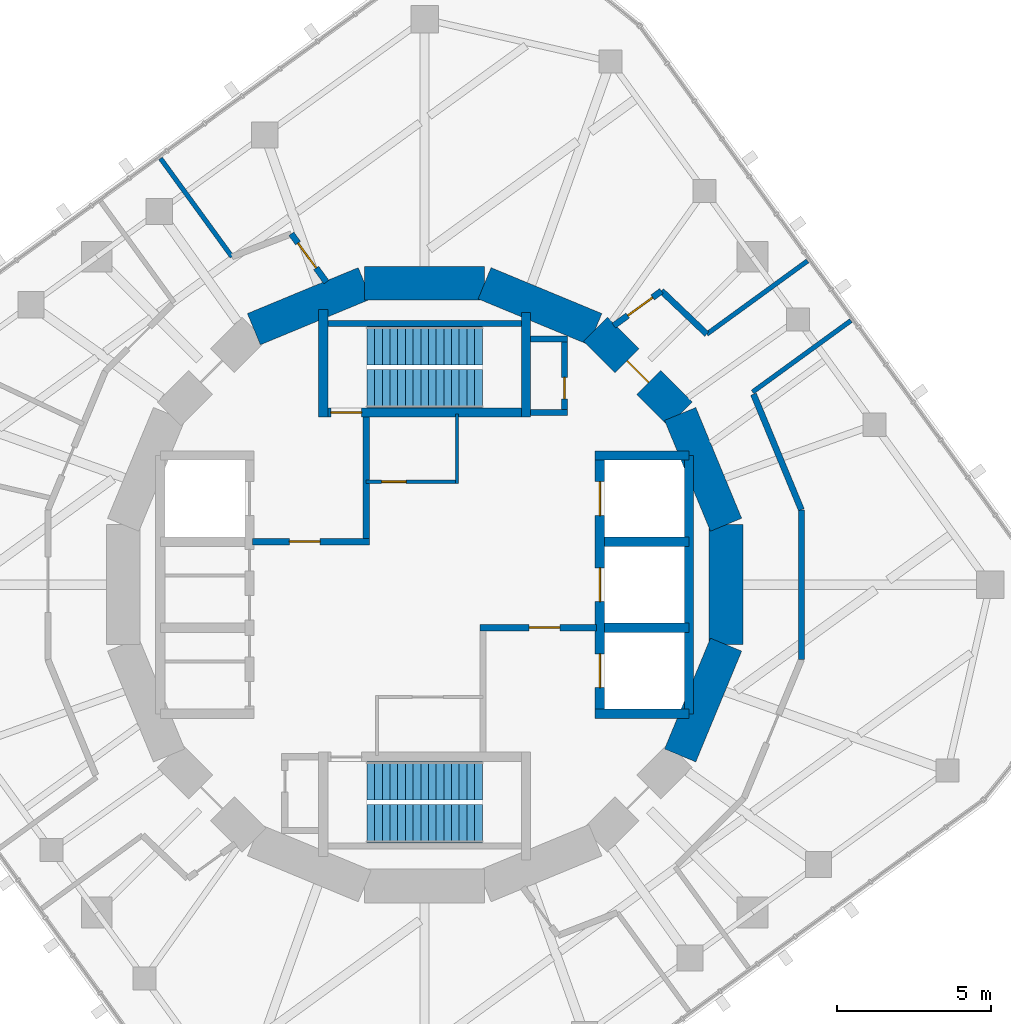
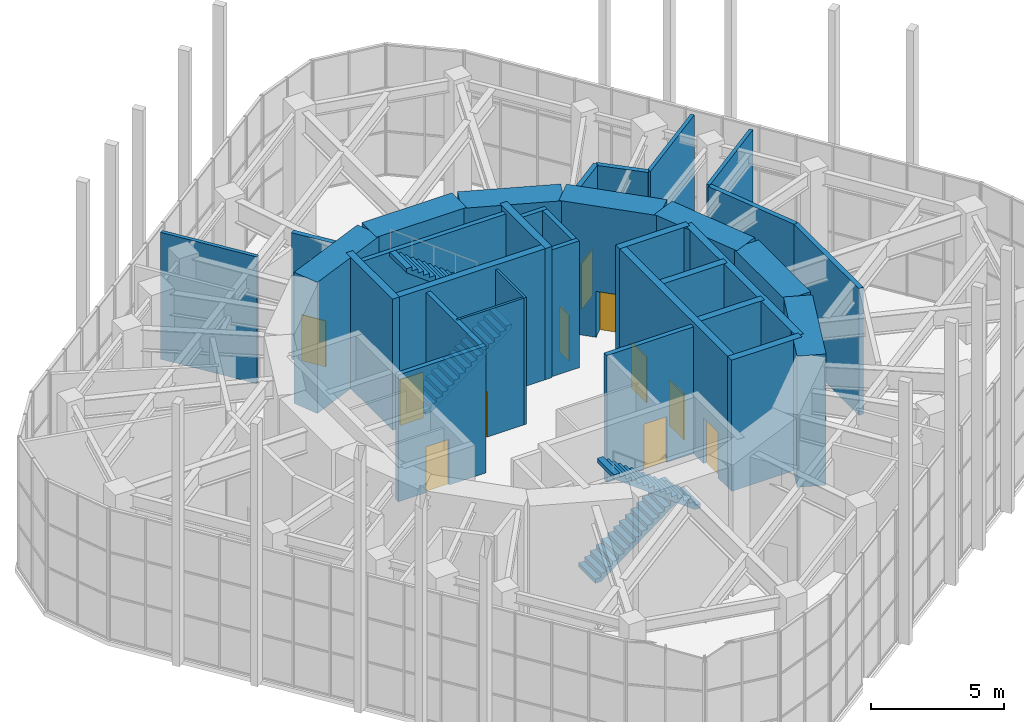
# One storey, part 16 of 17: 33 walls, 11 doors, 4 stair flights, 11 openings, 2 elements without a shape of their own.
"""IFC4 building model written with IfcOpenShell, lengths in metres."""

from ifc_helpers import new_model, si_unit, direction, frame, frame_2d, origin, place, context, subcontext, project, spatial, polyline, rectangle, outline, extrude, material, layer, layer_set, type_object, element, fill, aggregate, save


model = new_model("IFC4")

# Units and contexts
model_context = context("Model", 3, precision=1e-05, world=origin(), true_north=direction((0.0, 1.0)))
body_context = subcontext(model_context, "Body", "Model", "MODEL_VIEW")
ifc_project = project(units=[si_unit("LENGTHUNIT", "METRE"), si_unit("AREAUNIT", "SQUARE_METRE"), si_unit("VOLUMEUNIT", "CUBIC_METRE"), si_unit("PLANEANGLEUNIT", "RADIAN"), si_unit("MASSUNIT", "GRAM", prefix="KILO")], contexts=[model_context])

# Site, building, storey
site_placement = place(None, origin())
site = spatial("IfcSite", under=ifc_project, at=site_placement, CompositionType="ELEMENT")
building_placement = place(site_placement, origin())
building = spatial("IfcBuilding", under=site, at=building_placement, Name="Nakasero Lantern House", CompositionType="ELEMENT")
storey_placement = place(building_placement, frame((0.0, 0.0, 298.39990234375)))
storey = spatial("IfcBuildingStorey", under=building, at=storey_placement, Name="L73", CompositionType="ELEMENT", Elevation=298.39990234375)

# Wall, openings, doors
ifc_material_1 = material(Name="Concrete C50/60", Category="concrete")
ifc_layer_1 = layer(ifc_material_1, 0.300048828125)
ifc_layer_set_1 = layer_set([ifc_layer_1], Name="Core inner wall 300")
wall_type_1 = type_object("IfcWallType", Name="Core inner wall 300", PredefinedType="SHEAR", material=ifc_layer_set_1)
wall_1_placement = place(storey_placement, frame((5.699951171875, -4.199951171875, 0.0), z_axis=(0.0, 0.0, 1.0), x_axis=(0.0, 1.0, 0.0)))
wall_1 = element("IfcWall", 1, at=wall_1_placement, inside=storey, type_object=wall_type_1, Name="Core inner wall L73 LE", PredefinedType="SHEAR", context=body_context, shape_type="SweptSolid", body=[
    extrude(rectangle(XDim=8.39990234375, YDim=0.300048828125, at=frame_2d((4.199951171875, 0.0))), origin(), (0.0, 0.0, 1.0), 6.0),
])
opening_1_placement = place(wall_1_placement, frame((0.85009765625, 0.0, 0.0)))
opening_1 = element("IfcOpeningElement", 2, at=opening_1_placement, cuts=wall_1, Name="Opening LD", PredefinedType="OPENING", context=body_context, shape_type="SweptSolid", body=[
    extrude(rectangle(XDim=1.10009765625, YDim=2.10009765625, at=frame_2d((0.550048828125, 1.050048828125))), frame((0.0, 0.169921875, 0.0), z_axis=(0.0, -1.0, 0.0), x_axis=(1.0, 0.0, 0.0)), (0.0, 0.0, 1.0), 0.340087890625),
])
opening_2_placement = place(wall_1_placement, frame((3.64990234375, 0.0, 0.0)))
opening_2 = element("IfcOpeningElement", 3, at=opening_2_placement, cuts=wall_1, Name="Opening LD", PredefinedType="OPENING", context=body_context, shape_type="SweptSolid", body=[
    extrude(rectangle(XDim=1.10009765625, YDim=2.10009765625, at=frame_2d((0.550048828125, 1.050048828125))), frame((0.0, 0.169921875, 0.0), z_axis=(0.0, -1.0, 0.0), x_axis=(1.0, 0.0, 0.0)), (0.0, 0.0, 1.0), 0.340087890625),
])
opening_3_placement = place(wall_1_placement, frame((6.449951171875, 0.0, 0.0)))
opening_3 = element("IfcOpeningElement", 4, at=opening_3_placement, cuts=wall_1, Name="Opening LD", PredefinedType="OPENING", context=body_context, shape_type="SweptSolid", body=[
    extrude(rectangle(XDim=1.10009765625, YDim=2.10009765625, at=frame_2d((0.550048828125, 1.050048828125))), frame((0.0, 0.169921875, 0.0), z_axis=(0.0, -1.0, 0.0), x_axis=(1.0, 0.0, 0.0)), (0.0, 0.0, 1.0), 0.340087890625),
])
ifc_material_2 = material(Name="Steel S355", Category="steel")
door_type_1 = type_object("IfcDoorType", Name="Lift landing door E120 1100", OperationType="SLIDING_TO_LEFT", PredefinedType="DOOR", material=ifc_material_2)
door_1_placement = place(opening_1_placement, origin())
door_1 = element("IfcDoor", 5, at=door_1_placement, inside=storey, type_object=door_type_1, Name="Lift landing door LE1", OperationType="SLIDING_TO_LEFT", OverallHeight=2.10009765625, OverallWidth=1.10009765625, PredefinedType="DOOR", context=body_context, shape_type="SweptSolid", body=[
    extrude(rectangle(XDim=1.10009765625, YDim=2.10009765625, at=frame_2d((0.550048828125, 1.050048828125))), frame((0.0, 0.02490234375, 0.0), z_axis=(0.0, -1.0, 0.0), x_axis=(1.0, 0.0, 0.0)), (0.0, 0.0, 1.0), 0.050048828125),
])
fill(opening_1, door_1)
door_2_placement = place(opening_2_placement, origin())
door_2 = element("IfcDoor", 6, at=door_2_placement, inside=storey, type_object=door_type_1, Name="Lift landing door LE2", OperationType="SLIDING_TO_LEFT", OverallHeight=2.10009765625, OverallWidth=1.10009765625, PredefinedType="DOOR", context=body_context, shape_type="SweptSolid", body=[
    extrude(rectangle(XDim=1.10009765625, YDim=2.10009765625, at=frame_2d((0.550048828125, 1.050048828125))), frame((0.0, 0.02490234375, 0.0), z_axis=(0.0, -1.0, 0.0), x_axis=(1.0, 0.0, 0.0)), (0.0, 0.0, 1.0), 0.050048828125),
])
fill(opening_2, door_2)
door_3_placement = place(opening_3_placement, origin())
door_3 = element("IfcDoor", 7, at=door_3_placement, inside=storey, type_object=door_type_1, Name="Lift landing door LE3", OperationType="SLIDING_TO_LEFT", OverallHeight=2.10009765625, OverallWidth=1.10009765625, PredefinedType="DOOR", context=body_context, shape_type="SweptSolid", body=[
    extrude(rectangle(XDim=1.10009765625, YDim=2.10009765625, at=frame_2d((0.550048828125, 1.050048828125))), frame((0.0, 0.02490234375, 0.0), z_axis=(0.0, -1.0, 0.0), x_axis=(1.0, 0.0, 0.0)), (0.0, 0.0, 1.0), 0.050048828125),
])
fill(opening_3, door_3)

# Walls
for number, where, z_axis, x_axis, name in (
    (8, (5.550048828125, 4.199951171875, 0.0), (0.0, 0.0, 1.0), (1.0, 0.0, 0.0), "Core inner wall L73 LEN"),
    (9, (5.550048828125, -4.199951171875, 0.0), (0.0, 0.0, 1.0), (1.0, 0.0, 0.0), "Core inner wall L73 LES"),
):
    element("IfcWall", number, at=place(storey_placement, frame(where, z_axis=z_axis, x_axis=x_axis)), inside=storey, type_object=wall_type_1, Name=name, PredefinedType="SHEAR", context=body_context, shape_type="SweptSolid", body=[
        extrude(rectangle(XDim=3.050048828125, YDim=0.300048828125, at=frame_2d((1.52490234375, 0.0))), origin(), (0.0, 0.0, 1.0), 6.0),
    ])
wall_2_placement = place(storey_placement, frame((8.60009765625, -4.199951171875, 0.0), z_axis=(0.0, 0.0, 1.0), x_axis=(0.0, 1.0, 0.0)))
element("IfcWall", 10, at=wall_2_placement, inside=storey, type_object=wall_type_1, Name="Core inner wall L73 LEB", PredefinedType="SHEAR", context=body_context, shape_type="SweptSolid", body=[
    extrude(rectangle(XDim=8.39990234375, YDim=0.300048828125, at=frame_2d((4.199951171875, 0.0))), origin(), (0.0, 0.0, 1.0), 6.0),
])
for number, where, z_axis, x_axis, name in (
    (11, (5.85009765625, -1.39990234375, 0.0), (0.0, 0.0, 1.0), (1.0, 0.0, 0.0), "Core inner wall L73 LE1"),
    (12, (5.85009765625, 1.39990234375, 0.0), (0.0, 0.0, 1.0), (1.0, 0.0, 0.0), "Core inner wall L73 LE2"),
):
    element("IfcWall", number, at=place(storey_placement, frame(where, z_axis=z_axis, x_axis=x_axis)), inside=storey, type_object=wall_type_1, Name=name, PredefinedType="SHEAR", context=body_context, shape_type="SweptSolid", body=[
        extrude(rectangle(XDim=2.75, YDim=0.300048828125, at=frame_2d((1.375, 0.0))), origin(), (0.0, 0.0, 1.0), 6.0),
    ])

# Wall, opening, door
wall_3_placement = place(storey_placement, frame((-3.449951171875, 5.60009765625, 0.0), z_axis=(0.0, 0.0, 1.0), x_axis=(1.0, 0.0, 0.0)))
wall_3 = element("IfcWall", 13, at=wall_3_placement, inside=storey, type_object=wall_type_1, Name="Core inner wall L73 SN", PredefinedType="SHEAR", context=body_context, shape_type="SweptSolid", body=[
    extrude(rectangle(XDim=6.89990234375, YDim=0.300048828125, at=frame_2d((3.449951171875, 0.0))), origin(), (0.0, 0.0, 1.0), 6.0),
])
opening_4_placement = place(wall_3_placement, frame((0.39990234375, 0.0, 0.0)))
opening_4 = element("IfcOpeningElement", 14, at=opening_4_placement, cuts=wall_3, Name="Opening D05", PredefinedType="OPENING", context=body_context, shape_type="SweptSolid", body=[
    extrude(rectangle(XDim=1.0, YDim=2.10009765625, at=frame_2d((0.5, 1.050048828125))), frame((0.0, 0.169921875, 0.0), z_axis=(0.0, -1.0, 0.0), x_axis=(1.0, 0.0, 0.0)), (0.0, 0.0, 1.0), 0.340087890625),
])
ifc_material_3 = material(Name="Timber C24", Category="wood")
door_type_2 = type_object("IfcDoorType", Name="Core door FD60S 1000", OperationType="SINGLE_SWING_LEFT", PredefinedType="DOOR", material=ifc_material_3)
door_4_placement = place(opening_4_placement, origin())
door_4 = element("IfcDoor", 15, at=door_4_placement, inside=storey, type_object=door_type_2, Name="Door L73 D-ST1", OperationType="SINGLE_SWING_LEFT", OverallHeight=2.10009765625, OverallWidth=1.0, PredefinedType="DOOR", context=body_context, shape_type="SweptSolid", body=[
    extrude(rectangle(XDim=1.0, YDim=2.10009765625, at=frame_2d((0.5, 1.050048828125))), frame((0.0, 0.02490234375, 0.0), z_axis=(0.0, -1.0, 0.0), x_axis=(1.0, 0.0, 0.0)), (0.0, 0.0, 1.0), 0.050048828125),
])
fill(opening_4, door_4)

# Walls
wall_4_placement = place(storey_placement, frame((-3.300048828125, 5.449951171875, 0.0), z_axis=(0.0, 0.0, 1.0), x_axis=(0.0, 1.0, 0.0)))
element("IfcWall", 16, at=wall_4_placement, inside=storey, type_object=wall_type_1, Name="Core inner wall L73 SNW", PredefinedType="SHEAR", context=body_context, shape_type="SweptSolid", body=[
    extrude(rectangle(XDim=3.5, YDim=0.300048828125, at=frame_2d((1.75, 0.0))), origin(), (0.0, 0.0, 1.0), 6.0),
])
wall_5_placement = place(storey_placement, frame((3.300048828125, 5.449951171875, 0.0), z_axis=(0.0, 0.0, 1.0), x_axis=(0.0, 1.0, 0.0)))
element("IfcWall", 17, at=wall_5_placement, inside=storey, type_object=wall_type_1, Name="Core inner wall L73 SNE", PredefinedType="SHEAR", context=body_context, shape_type="SweptSolid", body=[
    extrude(rectangle(XDim=3.400146484375, YDim=0.300048828125, at=frame_2d((1.7001953125, 0.0))), origin(), (0.0, 0.0, 1.0), 6.0),
])

# Wall, opening, door
ifc_material_4 = material(Name="Blockwork", Category="masonry")
ifc_layer_2 = layer(ifc_material_4, 0.10009765625)
ifc_layer_set_2 = layer_set([ifc_layer_2], Name="Core room wall 100")
wall_type_2 = type_object("IfcWallType", Name="Core room wall 100", PredefinedType="PARTITIONING", material=ifc_layer_set_2)
wall_6_placement = place(storey_placement, frame((-1.89990234375, 3.35009765625, 0.0), z_axis=(0.0, 0.0, 1.0), x_axis=(1.0, 0.0, 0.0)))
wall_6 = element("IfcWall", 18, at=wall_6_placement, inside=storey, type_object=wall_type_2, Name="Core room wall L73 CR-NES", PredefinedType="PARTITIONING", context=body_context, shape_type="SweptSolid", body=[
    extrude(rectangle(XDim=3.0, YDim=0.10009765625, at=frame_2d((1.5, 0.0))), origin(), (0.0, 0.0, 1.0), 5.800048828125),
])
opening_5_placement = place(wall_6_placement, frame((0.5, 0.0, 0.0)))
opening_5 = element("IfcOpeningElement", 19, at=opening_5_placement, cuts=wall_6, Name="Opening D15", PredefinedType="OPENING", context=body_context, shape_type="SweptSolid", body=[
    extrude(rectangle(XDim=0.800048828125, YDim=2.10009765625, at=frame_2d((0.39990234375, 1.050048828125))), frame((0.0, 0.070068359375, 0.0), z_axis=(0.0, -1.0, 0.0), x_axis=(1.0, 0.0, 0.0)), (0.0, 0.0, 1.0), 0.14013671875),
])
ifc_material_5 = material(Name="Timber C24", Category="wood")
door_type_3 = type_object("IfcDoorType", Name="Cleaner's store door FD30S 800", OperationType="SINGLE_SWING_LEFT", PredefinedType="DOOR", material=ifc_material_5)
door_5_placement = place(opening_5_placement, origin())
door_5 = element("IfcDoor", 20, at=door_5_placement, inside=storey, type_object=door_type_3, Name="Door L73 D-CR-NE", OperationType="SINGLE_SWING_LEFT", OverallHeight=2.10009765625, OverallWidth=0.800048828125, PredefinedType="DOOR", context=body_context, shape_type="SweptSolid", body=[
    extrude(rectangle(XDim=0.800048828125, YDim=2.10009765625, at=frame_2d((0.39990234375, 1.050048828125))), frame((0.0, 0.02490234375, 0.0), z_axis=(0.0, -1.0, 0.0), x_axis=(1.0, 0.0, 0.0)), (0.0, 0.0, 1.0), 0.050048828125),
])
fill(opening_5, door_5)

# Walls
wall_7_placement = place(storey_placement, frame((1.050048828125, 3.300048828125, 0.0), z_axis=(0.0, 0.0, 1.0), x_axis=(0.0, 1.0, 0.0)))
element("IfcWall", 21, at=wall_7_placement, inside=storey, type_object=wall_type_2, Name="Core room wall L73 CR-NEE", PredefinedType="PARTITIONING", context=body_context, shape_type="SweptSolid", body=[
    extrude(rectangle(XDim=2.25, YDim=0.10009765625, at=frame_2d((1.125, 0.0))), origin(), (0.0, 0.0, 1.0), 5.800048828125),
])
ifc_material_6 = material(Name="Concrete C50/60", Category="concrete")
ifc_layer_3 = layer(ifc_material_6, 1.10009765625)
ifc_layer_set_3 = layer_set([ifc_layer_3], Name="Core wall 1100")
wall_type_3 = type_object("IfcWallType", Name="Core wall 1100", PredefinedType="SHEAR", material=ifc_layer_set_3)
wall_8_placement = place(storey_placement, frame((9.807861328125, 1.950927734375, 0.0), z_axis=(0.0, 0.0, 1.0), x_axis=(-0.382690736062, 0.923876507187, 0.0)))
element("IfcWall", 22, at=wall_8_placement, inside=storey, type_object=wall_type_3, Name="Core wall L73 facet 1", PredefinedType="SHEAR", context=body_context, shape_type="SweptSolid", body=[
    extrude(rectangle(XDim=3.90185546875, YDim=1.10009765625, at=frame_2d((1.950927734375, 0.0))), origin(), (0.0, 0.0, 1.0), 6.0),
])

# Wall, opening, door
wall_9_placement = place(storey_placement, frame((8.314697265625, 5.5556640625, 0.0), z_axis=(0.0, 0.0, 1.0), x_axis=(-0.707106781187, 0.707106781187, 0.0)))
wall_9 = element("IfcWall", 23, at=wall_9_placement, inside=storey, type_object=wall_type_3, Name="Core wall L73 facet 2", PredefinedType="SHEAR", context=body_context, shape_type="SweptSolid", body=[
    extrude(rectangle(XDim=3.90185546875, YDim=1.10009765625, at=frame_2d((1.950927734375, 0.0))), origin(), (0.0, 0.0, 1.0), 6.0),
])
opening_6_placement = place(wall_9_placement, frame((1.450927734375, 0.0, 0.0)))
opening_6 = element("IfcOpeningElement", 24, at=opening_6_placement, cuts=wall_9, Name="Opening D05", PredefinedType="OPENING", context=body_context, shape_type="SweptSolid", body=[
    extrude(rectangle(XDim=1.0, YDim=2.10009765625, at=frame_2d((0.5, 1.050048828125))), frame((0.0, 0.570068359375, 0.0), z_axis=(0.0, -1.0, 0.0), x_axis=(1.0, 0.0, 0.0)), (0.0, 0.0, 1.0), 1.14013671875),
])
door_6_placement = place(opening_6_placement, origin())
door_6 = element("IfcDoor", 25, at=door_6_placement, inside=storey, type_object=door_type_2, Name="Door L73 D-CORE02", OperationType="SINGLE_SWING_LEFT", OverallHeight=2.10009765625, OverallWidth=1.0, PredefinedType="DOOR", context=body_context, shape_type="SweptSolid", body=[
    extrude(rectangle(XDim=1.0, YDim=2.10009765625, at=frame_2d((0.5, 1.050048828125))), frame((0.0, 0.02490234375, 0.0), z_axis=(0.0, -1.0, 0.0), x_axis=(1.0, 0.0, 0.0)), (0.0, 0.0, 1.0), 0.050048828125),
])
fill(opening_6, door_6)

# Walls
for number, where, z_axis, x_axis, name in (
    (26, (5.5556640625, 8.314697265625, 0.0), (0.0, 0.0, 1.0), (-0.923876507187, 0.382690736062, 0.0), "Core wall L73 facet 3"),
    (27, (1.950927734375, 9.807861328125, 0.0), (0.0, 0.0, 1.0), (-1.0, 0.0, 0.0), "Core wall L73 facet 4"),
    (28, (-1.950927734375, 9.807861328125, 0.0), (0.0, 0.0, 1.0), (-0.923876507187, -0.382690736062, 0.0), "Core wall L73 facet 5"),
    (29, (8.314697265625, -5.5556640625, 0.0), (0.0, 0.0, 1.0), (0.382690736062, 0.923876507187, 0.0), "Core wall L73 facet 15"),
    (30, (9.807861328125, -1.950927734375, 0.0), (0.0, 0.0, 1.0), (0.0, 1.0, 0.0), "Core wall L73 facet 16"),
):
    element("IfcWall", number, at=place(storey_placement, frame(where, z_axis=z_axis, x_axis=x_axis)), inside=storey, type_object=wall_type_3, Name=name, PredefinedType="SHEAR", context=body_context, shape_type="SweptSolid", body=[
        extrude(rectangle(XDim=3.90185546875, YDim=1.10009765625, at=frame_2d((1.950927734375, 0.0))), origin(), (0.0, 0.0, 1.0), 6.0),
    ])
ifc_material_7 = material(Name="Blockwork", Category="masonry")
ifc_layer_4 = layer(ifc_material_7, 0.199951171875)
ifc_layer_set_4 = layer_set([ifc_layer_4], Name="Corridor wall 200")
wall_type_4 = type_object("IfcWallType", Name="Corridor wall 200", PredefinedType="PARTITIONING", material=ifc_layer_set_4)
wall_10_placement = place(storey_placement, frame((12.2578125, 2.438232421875, 0.0), z_axis=(0.0, 0.0, 1.0), x_axis=(0.0, -1.0, 0.0)))
element("IfcWall", 31, at=wall_10_placement, inside=storey, type_object=wall_type_4, Name="Corridor wall L73 TC00", PredefinedType="PARTITIONING", context=body_context, shape_type="SweptSolid", body=[
    extrude(rectangle(XDim=4.87646484375, YDim=0.199951171875, at=frame_2d((2.438232421875, 0.0))), origin(), (0.0, 0.0, 1.0), 5.800048828125),
])
wall_11_placement = place(storey_placement, frame((10.700439453125, 6.1982421875, 0.0), z_axis=(0.0, 0.0, 1.0), x_axis=(0.382667913838, -0.923885960343, 0.0)))
element("IfcWall", 32, at=wall_11_placement, inside=storey, type_object=wall_type_4, Name="Corridor wall L73 TC07", PredefinedType="PARTITIONING", context=body_context, shape_type="SweptSolid", body=[
    extrude(rectangle(XDim=4.06982421875, YDim=0.199951171875, at=frame_2d((2.034912109375, 0.0))), origin(), (0.0, 0.0, 1.0), 5.800048828125),
])

# Wall, opening, door
wall_12_placement = place(storey_placement, frame((-3.197021484375, 9.8466796875, 0.0), z_axis=(0.0, 0.0, 1.0), x_axis=(-0.587775246478, 0.80902426393, 0.0)))
wall_12 = element("IfcWall", 33, at=wall_12_placement, inside=storey, type_object=wall_type_4, Name="Corridor wall L73 TQ00", PredefinedType="PARTITIONING", context=body_context, shape_type="SweptSolid", body=[
    extrude(rectangle(XDim=1.94091796875, YDim=0.199951171875, at=frame_2d((0.970458984375, 0.0))), origin(), (0.0, 0.0, 1.0), 5.800048828125),
])
opening_7_placement = place(wall_12_placement, frame((0.566650390625, 0.0, 0.0)))
opening_7 = element("IfcOpeningElement", 34, at=opening_7_placement, cuts=wall_12, Name="Opening D03", PredefinedType="OPENING", context=body_context, shape_type="SweptSolid", body=[
    extrude(rectangle(XDim=1.0, YDim=2.10009765625, at=frame_2d((0.5, 1.050048828125))), frame((0.0, 0.119873046875, 0.0), z_axis=(0.0, -1.0, 0.0), x_axis=(1.0, 0.0, 0.0)), (0.0, 0.0, 1.0), 0.239990234375),
])
ifc_material_8 = material(Name="Timber C24", Category="wood")
door_type_4 = type_object("IfcDoorType", Name="Lounge door FD30S 1000", OperationType="SINGLE_SWING_LEFT", PredefinedType="DOOR", material=ifc_material_8)
door_7_placement = place(opening_7_placement, origin())
door_7 = element("IfcDoor", 35, at=door_7_placement, inside=storey, type_object=door_type_4, Name="Door L73 DQ00", OperationType="SINGLE_SWING_RIGHT", OverallHeight=2.10009765625, OverallWidth=1.0, PredefinedType="DOOR", context=body_context, shape_type="SweptSolid", body=[
    extrude(rectangle(XDim=1.0, YDim=2.10009765625, at=frame_2d((0.5, 1.050048828125))), frame((0.0, 0.02490234375, 0.0), z_axis=(0.0, -1.0, 0.0), x_axis=(1.0, 0.0, 0.0)), (0.0, 0.0, 1.0), 0.050048828125),
])
fill(opening_7, door_7)

wall_13_placement = place(storey_placement, frame((6.1552734375, 8.428955078125, 0.0), z_axis=(0.0, 0.0, 1.0), x_axis=(0.808978111554, 0.587838766181, 0.0)))
wall_13 = element("IfcWall", 36, at=wall_13_placement, inside=storey, type_object=wall_type_4, Name="Corridor wall L73 TQ01", PredefinedType="PARTITIONING", context=body_context, shape_type="SweptSolid", body=[
    extrude(rectangle(XDim=1.918701171875, YDim=0.199951171875, at=frame_2d((0.95947265625, 0.0))), origin(), (0.0, 0.0, 1.0), 5.800048828125),
])
opening_8_placement = place(wall_13_placement, frame((0.55859375, 0.0, 0.0)))
opening_8 = element("IfcOpeningElement", 37, at=opening_8_placement, cuts=wall_13, Name="Opening D03", PredefinedType="OPENING", context=body_context, shape_type="SweptSolid", body=[
    extrude(rectangle(XDim=1.0, YDim=2.10009765625, at=frame_2d((0.5, 1.050048828125))), frame((0.0, 0.119873046875, 0.0), z_axis=(0.0, -1.0, 0.0), x_axis=(1.0, 0.0, 0.0)), (0.0, 0.0, 1.0), 0.239990234375),
])
door_8_placement = place(opening_8_placement, origin())
door_8 = element("IfcDoor", 38, at=door_8_placement, inside=storey, type_object=door_type_4, Name="Door L73 DQ01", OperationType="SINGLE_SWING_RIGHT", OverallHeight=2.10009765625, OverallWidth=1.0, PredefinedType="DOOR", context=body_context, shape_type="SweptSolid", body=[
    extrude(rectangle(XDim=1.0, YDim=2.10009765625, at=frame_2d((0.5, 1.050048828125))), frame((0.0, 0.02490234375, 0.0), z_axis=(0.0, -1.0, 0.0), x_axis=(1.0, 0.0, 0.0)), (0.0, 0.0, 1.0), 0.050048828125),
])
fill(opening_8, door_8)

# Wall
wall_14_placement = place(storey_placement, frame((7.70751953125, 9.556884765625, 0.0), z_axis=(0.0, 0.0, 1.0), x_axis=(0.724289130642, -0.68949637797, 0.0)))
element("IfcWall", 39, at=wall_14_placement, inside=storey, type_object=wall_type_4, Name="Corridor wall L73 TR01", PredefinedType="PARTITIONING", context=body_context, shape_type="SweptSolid", body=[
    extrude(rectangle(XDim=2.034912109375, YDim=0.199951171875, at=frame_2d((1.017578125, 0.0))), origin(), (0.0, 0.0, 1.0), 5.800048828125),
])

# Wall, opening, door
ifc_material_9 = material(Name="Blockwork", Category="masonry")
ifc_layer_5 = layer(ifc_material_9, 0.199951171875)
ifc_layer_set_5 = layer_set([ifc_layer_5], Name="Fire lobby wall 200")
wall_type_5 = type_object("IfcWallType", Name="Fire lobby wall 200", PredefinedType="PARTITIONING", material=ifc_layer_set_5)
wall_15_placement = place(storey_placement, frame((-5.60009765625, 1.39990234375, 0.0), z_axis=(0.0, 0.0, 1.0), x_axis=(1.0, 0.0, 0.0)))
wall_15 = element("IfcWall", 40, at=wall_15_placement, inside=storey, type_object=wall_type_5, Name="Fire lobby wall L73 W-FL1S", PredefinedType="PARTITIONING", context=body_context, shape_type="SweptSolid", body=[
    extrude(rectangle(XDim=3.800048828125, YDim=0.199951171875, at=frame_2d((1.89990234375, 0.0))), origin(), (0.0, 0.0, 1.0), 5.800048828125),
])
opening_9_placement = place(wall_15_placement, frame((1.199951171875, 0.0, 0.0)))
opening_9 = element("IfcOpeningElement", 41, at=opening_9_placement, cuts=wall_15, Name="Opening D05", PredefinedType="OPENING", context=body_context, shape_type="SweptSolid", body=[
    extrude(rectangle(XDim=1.0, YDim=2.10009765625, at=frame_2d((0.5, 1.050048828125))), frame((0.0, 0.119873046875, 0.0), z_axis=(0.0, -1.0, 0.0), x_axis=(1.0, 0.0, 0.0)), (0.0, 0.0, 1.0), 0.239990234375),
])
door_9_placement = place(opening_9_placement, origin())
door_9 = element("IfcDoor", 42, at=door_9_placement, inside=storey, type_object=door_type_2, Name="Door L73 D-FL1", OperationType="SINGLE_SWING_LEFT", OverallHeight=2.10009765625, OverallWidth=1.0, PredefinedType="DOOR", context=body_context, shape_type="SweptSolid", body=[
    extrude(rectangle(XDim=1.0, YDim=2.10009765625, at=frame_2d((0.5, 1.050048828125))), frame((0.0, 0.02490234375, 0.0), z_axis=(0.0, -1.0, 0.0), x_axis=(1.0, 0.0, 0.0)), (0.0, 0.0, 1.0), 0.050048828125),
])
fill(opening_9, door_9)

# Wall
wall_16_placement = place(storey_placement, frame((-1.89990234375, 1.5, 0.0), z_axis=(0.0, 0.0, 1.0), x_axis=(0.0, 1.0, 0.0)))
element("IfcWall", 43, at=wall_16_placement, inside=storey, type_object=wall_type_5, Name="Fire lobby wall L73 W-FL1E", PredefinedType="PARTITIONING", context=body_context, shape_type="SweptSolid", body=[
    extrude(rectangle(XDim=3.949951171875, YDim=0.199951171875, at=frame_2d((1.97509765625, 0.0))), origin(), (0.0, 0.0, 1.0), 5.800048828125),
])

# Wall, opening, door
wall_17_placement = place(storey_placement, frame((5.60009765625, -1.39990234375, 0.0), z_axis=(0.0, 0.0, 1.0), x_axis=(-1.0, 0.0, 0.0)))
wall_17 = element("IfcWall", 44, at=wall_17_placement, inside=storey, type_object=wall_type_5, Name="Fire lobby wall L73 W-FL2N", PredefinedType="PARTITIONING", context=body_context, shape_type="SweptSolid", body=[
    extrude(rectangle(XDim=3.800048828125, YDim=0.199951171875, at=frame_2d((1.89990234375, 0.0))), origin(), (0.0, 0.0, 1.0), 5.800048828125),
])
opening_10_placement = place(wall_17_placement, frame((1.199951171875, 0.0, 0.0)))
opening_10 = element("IfcOpeningElement", 45, at=opening_10_placement, cuts=wall_17, Name="Opening D05", PredefinedType="OPENING", context=body_context, shape_type="SweptSolid", body=[
    extrude(rectangle(XDim=1.0, YDim=2.10009765625, at=frame_2d((0.5, 1.050048828125))), frame((0.0, 0.119873046875, 0.0), z_axis=(0.0, -1.0, 0.0), x_axis=(1.0, 0.0, 0.0)), (0.0, 0.0, 1.0), 0.239990234375),
])
door_10_placement = place(opening_10_placement, origin())
door_10 = element("IfcDoor", 46, at=door_10_placement, inside=storey, type_object=door_type_2, Name="Door L73 D-FL2", OperationType="SINGLE_SWING_LEFT", OverallHeight=2.10009765625, OverallWidth=1.0, PredefinedType="DOOR", context=body_context, shape_type="SweptSolid", body=[
    extrude(rectangle(XDim=1.0, YDim=2.10009765625, at=frame_2d((0.5, 1.050048828125))), frame((0.0, 0.02490234375, 0.0), z_axis=(0.0, -1.0, 0.0), x_axis=(1.0, 0.0, 0.0)), (0.0, 0.0, 1.0), 0.050048828125),
])
fill(opening_10, door_10)

wall_18_placement = place(storey_placement, frame((4.550048828125, 5.60009765625, 0.0), z_axis=(0.0, 0.0, 1.0), x_axis=(0.0, 1.0, 0.0)))
wall_18 = element("IfcWall", 47, at=wall_18_placement, inside=storey, type_object=wall_type_5, Name="Fire lobby wall L73 W-RS1E", PredefinedType="PARTITIONING", context=body_context, shape_type="SweptSolid", body=[
    extrude(rectangle(XDim=2.39990234375, YDim=0.199951171875, at=frame_2d((1.199951171875, 0.0))), origin(), (0.0, 0.0, 1.0), 5.800048828125),
])
opening_11_placement = place(wall_18_placement, frame((0.449951171875, 0.0, 0.0)))
opening_11 = element("IfcOpeningElement", 48, at=opening_11_placement, cuts=wall_18, Name="Opening D06", PredefinedType="OPENING", context=body_context, shape_type="SweptSolid", body=[
    extrude(rectangle(XDim=0.699951171875, YDim=2.10009765625, at=frame_2d((0.35009765625, 1.050048828125))), frame((0.0, 0.119873046875, 0.0), z_axis=(0.0, -1.0, 0.0), x_axis=(1.0, 0.0, 0.0)), (0.0, 0.0, 1.0), 0.239990234375),
])
ifc_material_10 = material(Name="Steel S355", Category="steel")
door_type_5 = type_object("IfcDoorType", Name="Riser door FD60 700", OperationType="SINGLE_SWING_LEFT", PredefinedType="DOOR", material=ifc_material_10)
door_11_placement = place(opening_11_placement, origin())
door_11 = element("IfcDoor", 49, at=door_11_placement, inside=storey, type_object=door_type_5, Name="Door L73 D-RS1", OperationType="SINGLE_SWING_LEFT", OverallHeight=2.10009765625, OverallWidth=0.699951171875, PredefinedType="DOOR", context=body_context, shape_type="SweptSolid", body=[
    extrude(rectangle(XDim=0.699951171875, YDim=2.10009765625, at=frame_2d((0.35009765625, 1.050048828125))), frame((0.0, 0.02490234375, 0.0), z_axis=(0.0, -1.0, 0.0), x_axis=(1.0, 0.0, 0.0)), (0.0, 0.0, 1.0), 0.050048828125),
])
fill(opening_11, door_11)

# Walls
for number, where, z_axis, x_axis, name in (
    (50, (3.449951171875, 8.0, 0.0), (0.0, 0.0, 1.0), (1.0, 0.0, 0.0), "Fire lobby wall L73 W-RS1N"),
    (51, (3.449951171875, 5.60009765625, 0.0), (0.0, 0.0, 1.0), (1.0, 0.0, 0.0), "Fire lobby wall L73 W-RS1S"),
):
    element("IfcWall", number, at=place(storey_placement, frame(where, z_axis=z_axis, x_axis=x_axis)), inside=storey, type_object=wall_type_5, Name=name, PredefinedType="PARTITIONING", context=body_context, shape_type="SweptSolid", body=[
        extrude(rectangle(XDim=1.199951171875, YDim=0.199951171875, at=frame_2d((0.60009765625, 0.0))), origin(), (0.0, 0.0, 1.0), 5.800048828125),
    ])
wall_19_placement = place(storey_placement, frame((-3.300048828125, 8.5, 0.0), z_axis=(0.0, 0.0, 1.0), x_axis=(1.0, 0.0, 0.0)))
element("IfcWall", 52, at=wall_19_placement, inside=storey, type_object=wall_type_5, Name="Fire lobby wall L73 W-STN", PredefinedType="PARTITIONING", context=body_context, shape_type="SweptSolid", body=[
    extrude(rectangle(XDim=6.60009765625, YDim=0.199951171875, at=frame_2d((3.300048828125, 0.0))), origin(), (0.0, 0.0, 1.0), 5.800048828125),
])
ifc_material_11 = material(Name="Blockwork", Category="masonry")
ifc_layer_6 = layer(ifc_material_11, 0.14990234375)
ifc_layer_set_6 = layer_set([ifc_layer_6], Name="Party wall 150")
wall_type_6 = type_object("IfcWallType", Name="Party wall 150", PredefinedType="PARTITIONING", material=ifc_layer_set_6)
wall_20_placement = place(storey_placement, frame((9.181396484375, 8.15380859375, 0.0), z_axis=(0.0, 0.0, 1.0), x_axis=(0.808981087791, 0.587834670291, 0.0)))
element("IfcWall", 53, at=wall_20_placement, inside=storey, type_object=wall_type_6, Name="Party wall L73 TP0L", PredefinedType="PARTITIONING", context=body_context, shape_type="SweptSolid", body=[
    extrude(rectangle(XDim=4.04931640625, YDim=0.14990234375, at=frame_2d((2.024658203125, 0.0))), origin(), (0.0, 0.0, 1.0), 5.800048828125),
])
for number, where, z_axis, x_axis, name in (
    (54, (10.6708984375, 6.26953125, 0.0), (0.0, 0.0, 1.0), (0.809011146953, 0.587793300493, 0.0), "Party wall L73 TP0R"),
    (55, (-6.26953125, 10.6708984375, 0.0), (0.0, 0.0, 1.0), (-0.587793300493, 0.809011146953, 0.0), "Party wall L73 TP1R"),
):
    element("IfcWall", number, at=place(storey_placement, frame(where, z_axis=z_axis, x_axis=x_axis)), inside=storey, type_object=wall_type_6, Name=name, PredefinedType="PARTITIONING", context=body_context, shape_type="SweptSolid", body=[
        extrude(rectangle(XDim=3.9521484375, YDim=0.14990234375, at=frame_2d((1.97607421875, 0.0))), origin(), (0.0, 0.0, 1.0), 5.800048828125),
    ])

# Stair, stair flights
ifc_material_12 = material(Name="Concrete C40/50", Category="concrete")
stair_type_1 = type_object("IfcStairType", Name="Escape stair ST1 32 risers", PredefinedType="HALF_TURN_STAIR", material=ifc_material_12)
stair_1_placement = place(storey_placement, origin())
stair_1 = element("IfcStair", 56, at=stair_1_placement, inside=storey, type_object=stair_type_1, Name="Escape stair ST1 L73", PredefinedType="HALF_TURN_STAIR")
ifc_material_13 = material(Name="Concrete C40/50", Category="concrete")
stair_flight_type = type_object("IfcStairFlightType", Name="Escape stair flight", PredefinedType="STRAIGHT", material=ifc_material_13)
stair_flight_1_placement = place(storey_placement, frame((-1.875, 6.375, 0.0), z_axis=(0.0, 0.0, 1.0), x_axis=(1.0, 0.0, 0.0)))
stair_flight_1 = element("IfcStairFlight", 57, at=stair_flight_1_placement, type_object=stair_flight_type, Name="ST1 flight 1", NumberOfRisers=16, NumberOfTreads=15, PredefinedType="STRAIGHT", RiserHeight=0.1875, TreadLength=0.25, context=body_context, shape_type="SweptSolid", body=[
    extrude(outline(polyline([(0.0, 0.0), (0.0, 0.1875), (0.25, 0.1875), (0.25, 0.375), (0.5, 0.375), (0.5, 0.5625), (0.75, 0.5625), (0.75, 0.75), (1.0, 0.75), (1.0, 0.9375), (1.25, 0.9375), (1.25, 1.125), (1.5, 1.125), (1.5, 1.3125), (1.75, 1.3125), (1.75, 1.5), (2.0, 1.5), (2.0, 1.6875), (2.25, 1.6875), (2.25, 1.875), (2.5, 1.875), (2.5, 2.0625), (2.75, 2.0625), (2.75, 2.25), (3.0, 2.25), (3.0, 2.4375), (3.25, 2.4375), (3.25, 2.625), (3.5, 2.625), (3.5, 2.8125), (3.75, 2.8125), (3.75, 3.0), (3.75, 2.625), (0.249755859375, 0.0), (0.0, 0.0)])), frame((0.0, 0.625, 0.0), z_axis=(0.0, -1.0, 0.0), x_axis=(1.0, 0.0, 0.0)), (0.0, 0.0, 1.0), 1.25),
])
stair_flight_2_placement = place(storey_placement, frame((1.875, 7.77490234375, 3.0), z_axis=(0.0, 0.0, 1.0), x_axis=(-1.0, 0.0, 0.0)))
stair_flight_2 = element("IfcStairFlight", 58, at=stair_flight_2_placement, type_object=stair_flight_type, Name="ST1 flight 2", NumberOfRisers=16, NumberOfTreads=15, PredefinedType="STRAIGHT", RiserHeight=0.1875, TreadLength=0.25, context=body_context, shape_type="SweptSolid", body=[
    extrude(outline(polyline([(0.0, 0.0), (0.0, 0.1875), (0.25, 0.1875), (0.25, 0.375), (0.5, 0.375), (0.5, 0.5625), (0.75, 0.5625), (0.75, 0.75), (1.0, 0.75), (1.0, 0.9375), (1.25, 0.9375), (1.25, 1.125), (1.5, 1.125), (1.5, 1.3125), (1.75, 1.3125), (1.75, 1.5), (2.0, 1.5), (2.0, 1.6875), (2.25, 1.6875), (2.25, 1.875), (2.5, 1.875), (2.5, 2.0625), (2.75, 2.0625), (2.75, 2.25), (3.0, 2.25), (3.0, 2.4375), (3.25, 2.4375), (3.25, 2.625), (3.5, 2.625), (3.5, 2.8125), (3.75, 2.8125), (3.75, 3.0), (3.75, 2.625), (0.249755859375, 0.0), (0.0, 0.0)])), frame((0.0, 0.625, 0.0), z_axis=(0.0, -1.0, 0.0), x_axis=(1.0, 0.0, 0.0)), (0.0, 0.0, 1.0), 1.25),
])
aggregate(stair_1, [stair_flight_1, stair_flight_2])

ifc_material_14 = material(Name="Concrete C40/50", Category="concrete")
stair_type_2 = type_object("IfcStairType", Name="Escape stair ST2 32 risers", PredefinedType="HALF_TURN_STAIR", material=ifc_material_14)
stair_2_placement = place(storey_placement, origin())
stair_2 = element("IfcStair", 59, at=stair_2_placement, inside=storey, type_object=stair_type_2, Name="Escape stair ST2 L73", PredefinedType="HALF_TURN_STAIR")
stair_flight_3_placement = place(storey_placement, frame((-1.875, -6.375, 0.0), z_axis=(0.0, 0.0, 1.0), x_axis=(1.0, 0.0, 0.0)))
stair_flight_3 = element("IfcStairFlight", 60, at=stair_flight_3_placement, type_object=stair_flight_type, Name="ST2 flight 1", NumberOfRisers=16, NumberOfTreads=15, PredefinedType="STRAIGHT", RiserHeight=0.1875, TreadLength=0.25, context=body_context, shape_type="SweptSolid", body=[
    extrude(outline(polyline([(0.0, 0.0), (0.0, 0.1875), (0.25, 0.1875), (0.25, 0.375), (0.5, 0.375), (0.5, 0.5625), (0.75, 0.5625), (0.75, 0.75), (1.0, 0.75), (1.0, 0.9375), (1.25, 0.9375), (1.25, 1.125), (1.5, 1.125), (1.5, 1.3125), (1.75, 1.3125), (1.75, 1.5), (2.0, 1.5), (2.0, 1.6875), (2.25, 1.6875), (2.25, 1.875), (2.5, 1.875), (2.5, 2.0625), (2.75, 2.0625), (2.75, 2.25), (3.0, 2.25), (3.0, 2.4375), (3.25, 2.4375), (3.25, 2.625), (3.5, 2.625), (3.5, 2.8125), (3.75, 2.8125), (3.75, 3.0), (3.75, 2.625), (0.249755859375, 0.0), (0.0, 0.0)])), frame((0.0, 0.625, 0.0), z_axis=(0.0, -1.0, 0.0), x_axis=(1.0, 0.0, 0.0)), (0.0, 0.0, 1.0), 1.25),
])
stair_flight_4_placement = place(storey_placement, frame((1.875, -7.77490234375, 3.0), z_axis=(0.0, 0.0, 1.0), x_axis=(-1.0, 0.0, 0.0)))
stair_flight_4 = element("IfcStairFlight", 61, at=stair_flight_4_placement, type_object=stair_flight_type, Name="ST2 flight 2", NumberOfRisers=16, NumberOfTreads=15, PredefinedType="STRAIGHT", RiserHeight=0.1875, TreadLength=0.25, context=body_context, shape_type="SweptSolid", body=[
    extrude(outline(polyline([(0.0, 0.0), (0.0, 0.1875), (0.25, 0.1875), (0.25, 0.375), (0.5, 0.375), (0.5, 0.5625), (0.75, 0.5625), (0.75, 0.75), (1.0, 0.75), (1.0, 0.9375), (1.25, 0.9375), (1.25, 1.125), (1.5, 1.125), (1.5, 1.3125), (1.75, 1.3125), (1.75, 1.5), (2.0, 1.5), (2.0, 1.6875), (2.25, 1.6875), (2.25, 1.875), (2.5, 1.875), (2.5, 2.0625), (2.75, 2.0625), (2.75, 2.25), (3.0, 2.25), (3.0, 2.4375), (3.25, 2.4375), (3.25, 2.625), (3.5, 2.625), (3.5, 2.8125), (3.75, 2.8125), (3.75, 3.0), (3.75, 2.625), (0.249755859375, 0.0), (0.0, 0.0)])), frame((0.0, 0.625, 0.0), z_axis=(0.0, -1.0, 0.0), x_axis=(1.0, 0.0, 0.0)), (0.0, 0.0, 1.0), 1.25),
])
aggregate(stair_2, [stair_flight_3, stair_flight_4])

save(model, "model.ifc")
